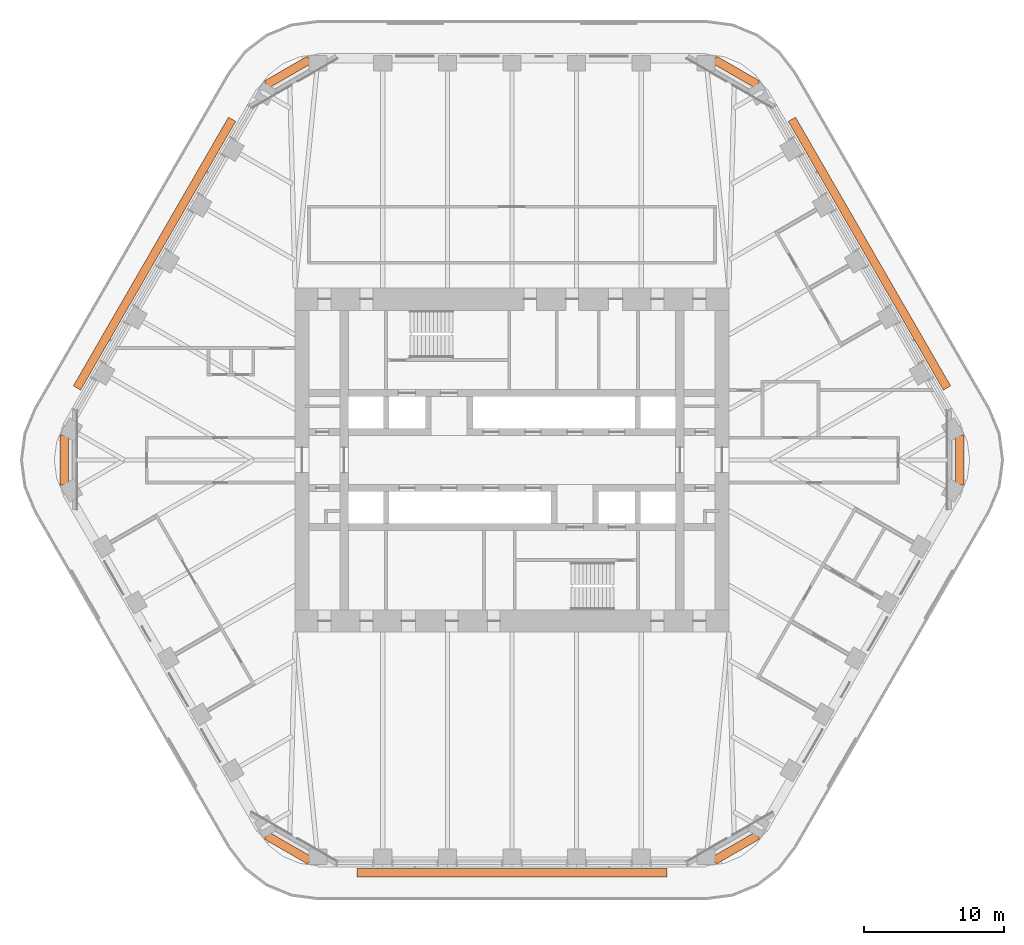
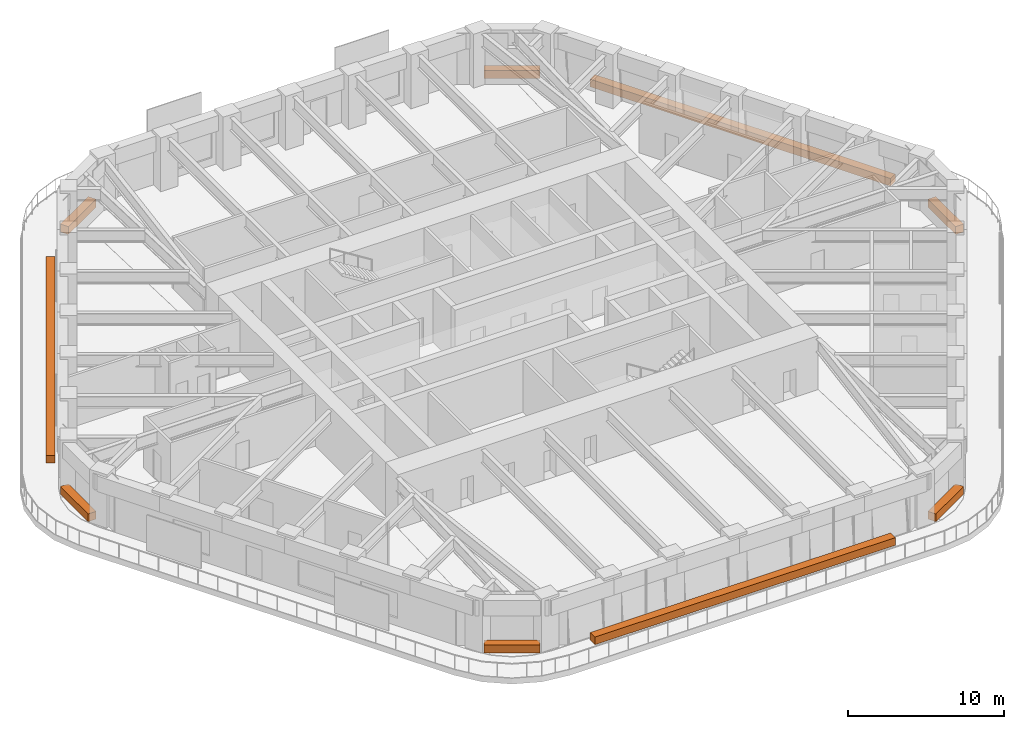
# One storey, part 20 of 20: 9 proxies.
"""IFC4 building model written with IfcOpenShell, lengths in metres."""

from ifc_helpers import new_model, si_unit, direction, frame, origin, origin_2d, place, context, subcontext, project, spatial, rectangle, extrude, material, element, save


model = new_model("IFC4")

# Units and contexts
model_context = context("Model", 3, precision=1e-05, world=origin(), true_north=direction((0.0, 1.0)))
body_context = subcontext(model_context, "Body", "Model", "MODEL_VIEW")
ifc_project = project(units=[si_unit("LENGTHUNIT", "METRE"), si_unit("AREAUNIT", "SQUARE_METRE"), si_unit("VOLUMEUNIT", "CUBIC_METRE"), si_unit("PLANEANGLEUNIT", "RADIAN"), si_unit("MASSUNIT", "GRAM", prefix="KILO")], contexts=[model_context])

# Site, building, storey
site_placement = place(None, origin())
site = spatial("IfcSite", under=ifc_project, at=site_placement, CompositionType="ELEMENT")
building_placement = place(site_placement, origin())
building = spatial("IfcBuilding", under=site, at=building_placement, Name="Tarfa Lantern Tower", CompositionType="ELEMENT")
storey_placement = place(building_placement, frame((0.0, 0.0, 244.89990234375)))
storey = spatial("IfcBuildingStorey", under=building, at=storey_placement, Name="L55", CompositionType="ELEMENT", Elevation=244.89990234375)

# Proxies
ifc_material = material(Name="Planting bed")
for number, where, z_axis, x_axis, name in (
    (1, (16.006591796875, 27.72412109375, 0.0400390625), (0.0, 0.0, 1.0), (-0.866025403784, 0.5, 0.0), "Sky garden planter"),
    (2, (-16.006591796875, 27.72412109375, 0.0400390625), (0.0, 0.0, 1.0), (-0.866025403784, -0.5, 0.0), "Sky garden planter"),
    (3, (-32.012939453125, 0.0, 0.0400390625), (0.0, 0.0, 1.0), (0.0, -1.0, 0.0), "Sky garden planter"),
    (4, (-16.006591796875, -27.72412109375, 0.0400390625), (0.0, 0.0, 1.0), (0.866025403784, -0.5, 0.0), "Sky garden planter"),
    (5, (16.006591796875, -27.72412109375, 0.0400390625), (0.0, 0.0, 1.0), (0.866025403784, 0.5, 0.0), "Sky garden planter"),
    (6, (32.012939453125, 0.0, 0.0400390625), (0.0, 0.0, 1.0), (0.0, 1.0, 0.0), "Sky garden planter"),
):
    element("IfcBuildingElementProxy", number, at=place(storey_placement, frame(where, z_axis=z_axis, x_axis=x_axis)), inside=storey, material=ifc_material, Name=name, ObjectType="PLANTER", PredefinedType="USERDEFINED", context=body_context, shape_type="SweptSolid", body=[
        extrude(rectangle(XDim=3.551025390625, YDim=0.60009765625, at=origin_2d()), origin(), (0.0, 0.0, 1.0), 0.60009765625),
    ])
for number, where, z_axis, x_axis, name in (
    (7, (25.5478515625, 14.75, 0.0), (0.0, 0.0, 1.0), (-0.5, 0.866025403784, 0.0), "Balcony planter"),
    (8, (-25.5478515625, 14.75, 0.0), (0.0, 0.0, 1.0), (-0.5, -0.866025403784, 0.0), "Balcony planter"),
    (9, (0.0, -29.5, 0.0), (0.0, 0.0, 1.0), (1.0, 0.0, 0.0), "Balcony planter"),
):
    element("IfcBuildingElementProxy", number, at=place(storey_placement, frame(where, z_axis=z_axis, x_axis=x_axis)), inside=storey, material=ifc_material, Name=name, ObjectType="PLANTER", PredefinedType="USERDEFINED", context=body_context, shape_type="SweptSolid", body=[
        extrude(rectangle(XDim=22.170166015625, YDim=0.60009765625, at=origin_2d()), origin(), (0.0, 0.0, 1.0), 0.60009765625),
    ])

save(model, "model.ifc")
